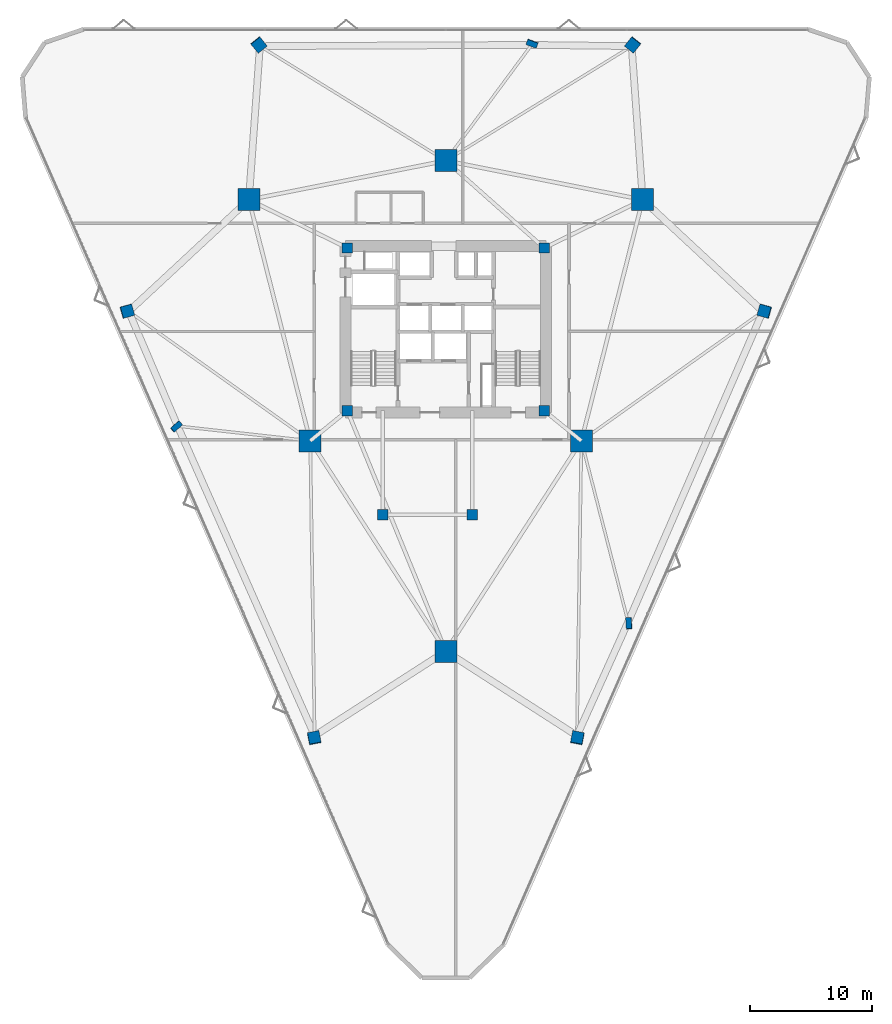
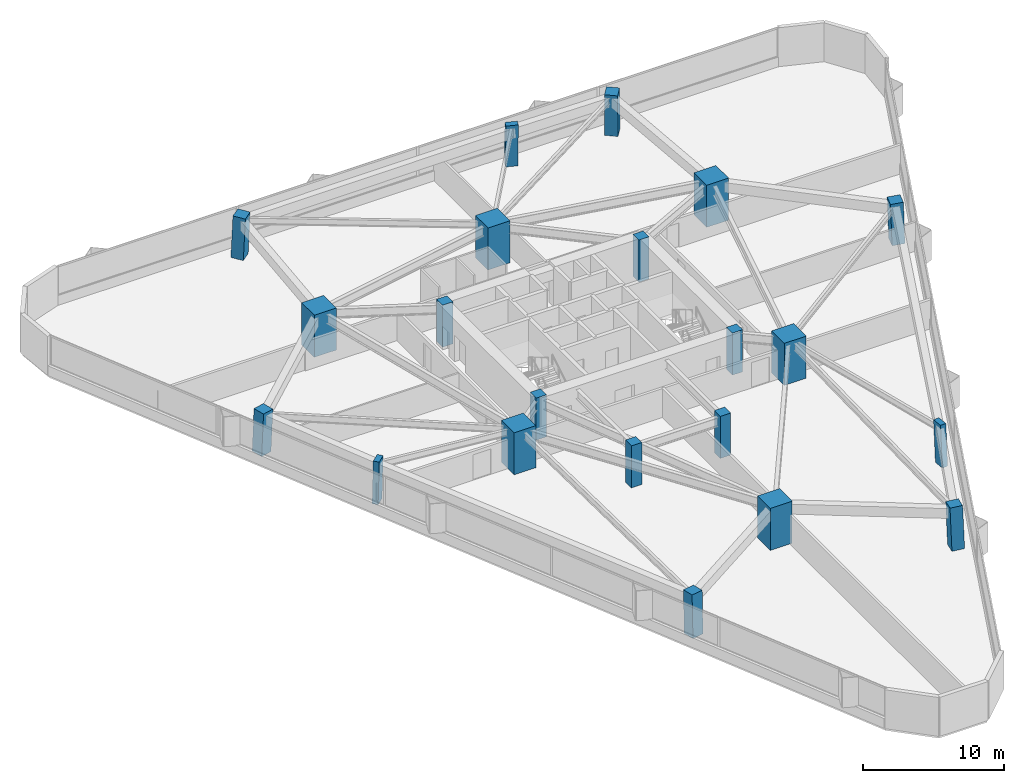
# One storey, part 1 of 20: 21 columns.
"""IFC4 building model written with IfcOpenShell, lengths in metres."""

from ifc_helpers import new_model, si_unit, direction, frame, origin, origin_2d, place, context, subcontext, project, spatial, rectangle, extrude, material, material_profile, profile_set, type_object, element, save


model = new_model("IFC4")

# Units and contexts
model_context = context("Model", 3, precision=1e-05, world=origin(), true_north=direction((0.0, 1.0)))
body_context = subcontext(model_context, "Body", "Model", "MODEL_VIEW")
ifc_project = project(units=[si_unit("LENGTHUNIT", "METRE"), si_unit("AREAUNIT", "SQUARE_METRE"), si_unit("VOLUMEUNIT", "CUBIC_METRE"), si_unit("PLANEANGLEUNIT", "RADIAN"), si_unit("MASSUNIT", "GRAM", prefix="KILO")], contexts=[model_context])

# Site, building, storey
site_placement = place(None, origin())
site = spatial("IfcSite", under=ifc_project, at=site_placement, CompositionType="ELEMENT")
building_placement = place(site_placement, origin())
building = spatial("IfcBuilding", under=site, at=building_placement, Name="Talyreon Biosciences Tower", CompositionType="ELEMENT")
storey_placement = place(building_placement, frame((0.0, 0.0, 30.10009765625)))
storey = spatial("IfcBuildingStorey", under=building, at=storey_placement, Name="L07", CompositionType="ELEMENT", Elevation=30.10009765625)

# Columns
ifc_material_1 = material(Name="Precast concrete C45/55", Category="concrete")
ifc_material_profile_1 = material_profile(ifc_material_1, rectangle(XDim=0.89990234375, YDim=0.449951171875, at=origin_2d()), Name="RC 900x450")
ifc_profile_set_1 = profile_set([ifc_material_profile_1], Name="Precast concrete C45/55")
column_type_1 = type_object("IfcColumnType", Name="FacadePilaster_900x450", PredefinedType="PILASTER", material=ifc_profile_set_1)
column_1_placement = place(storey_placement, frame((80.98193359375, 43.929931640625, 0.0029296875), z_axis=(-0.019612004119, 0.038286915892, 0.999074312234), x_axis=(0.060021566555, -0.997419127587, 0.039401719146)))
element("IfcColumn", 1, at=column_1_placement, inside=storey, type_object=column_type_1, Name="L07 Facade Pilaster PL-SE", PredefinedType="PILASTER", context=body_context, shape_type="SweptSolid", body=[
    extrude(rectangle(XDim=0.89990234375, YDim=0.449951171875, at=origin_2d()), origin(), (0.0, 0.0, 1.0), 3.6474609375),
])
column_2_placement = place(storey_placement, frame((73.0615234375, 91.382080078125, 0.0029296875), z_axis=(-0.01238655289, -0.033544124313, 0.999360478022), x_axis=(-0.9380871136, 0.346399433166, 0.0)))
element("IfcColumn", 2, at=column_2_placement, inside=storey, type_object=column_type_1, Name="L07 Facade Pilaster PL-N", PredefinedType="PILASTER", context=body_context, shape_type="SweptSolid", body=[
    extrude(rectangle(XDim=0.89990234375, YDim=0.449951171875, at=origin_2d()), origin(), (0.0, 0.0, 1.0), 3.646484375),
])
column_3_placement = place(storey_placement, frame((43.95654296875, 60.04736328125, 0.0029296875), z_axis=(0.032006476949, 0.010512587617, 0.999432374368), x_axis=(0.744483201828, 0.666927740989, -0.030856935938)))
element("IfcColumn", 3, at=column_3_placement, inside=storey, type_object=column_type_1, Name="L07 Facade Pilaster PL-SW", PredefinedType="PILASTER", context=body_context, shape_type="SweptSolid", body=[
    extrude(rectangle(XDim=0.89990234375, YDim=0.449951171875, at=origin_2d()), origin(), (0.0, 0.0, 1.0), 3.64599609375),
])
ifc_material_2 = material(Name="Concrete C60/75", Category="concrete")
ifc_material_profile_2 = material_profile(ifc_material_2, rectangle(XDim=1.800048828125, YDim=1.800048828125, at=origin_2d()), Name="RC 1800x1800")
ifc_profile_set_2 = profile_set([ifc_material_profile_2], Name="Concrete C60/75")
column_type_2 = type_object("IfcColumnType", Name="MegaColumn_1800", PredefinedType="COLUMN", material=ifc_profile_set_2)
for number, where, z_axis, x_axis, name in (
    (4, (66.0, 41.6669921875, 0.0), (0.0, 0.0, 1.0), (1.0, 0.0, 0.0), "L07 Composite Mega-Column MC1"),
    (5, (82.102294921875, 78.5986328125, 0.0), (0.0, 0.0, 1.0), (1.0, 0.0, 0.0), "L07 Composite Mega-Column MC2"),
    (6, (49.897705078125, 78.5986328125, 0.0), (0.0, 0.0, 1.0), (1.0, 0.0, 0.0), "L07 Composite Mega-Column MC3"),
    (7, (77.086181640625, 58.88037109375, 0.0), (0.0, 0.0, 1.0), (1.0, 0.0, 0.0), "L07 Composite Mega-Column MC4"),
    (8, (66.0, 81.788818359375, 0.0), (0.0, 0.0, 1.0), (1.0, 0.0, 0.0), "L07 Composite Mega-Column MC5"),
    (9, (54.913818359375, 58.88037109375, 0.0), (0.0, 0.0, 1.0), (1.0, 0.0, 0.0), "L07 Composite Mega-Column MC6"),
):
    element("IfcColumn", number, at=place(storey_placement, frame(where, z_axis=z_axis, x_axis=x_axis)), inside=storey, type_object=column_type_2, Name=name, PredefinedType="COLUMN", context=body_context, shape_type="SweptSolid", body=[
        extrude(rectangle(XDim=1.800048828125, YDim=1.800048828125, at=origin_2d()), origin(), (0.0, 0.0, 1.0), 3.64990234375),
    ])
ifc_material_profile_3 = material_profile(ifc_material_2, rectangle(XDim=0.85009765625, YDim=0.85009765625, at=origin_2d()), Name="RC 850x850")
ifc_profile_set_3 = profile_set([ifc_material_profile_3], Name="Concrete C60/75")
column_type_3 = type_object("IfcColumnType", Name="PerimeterColumn_850", PredefinedType="COLUMN", material=ifc_profile_set_3)
for number, where, z_axis, x_axis, name in (
    (10, (57.949951171875, 61.35009765625, 0.0), (0.0, 0.0, 1.0), (1.0, 0.0, 0.0), "L07 Core Column CC1"),
    (11, (74.050048828125, 61.35009765625, 0.0), (0.0, 0.0, 1.0), (1.0, 0.0, 0.0), "L07 Core Column CC2"),
    (12, (74.050048828125, 74.64990234375, 0.0), (0.0, 0.0, 1.0), (1.0, 0.0, 0.0), "L07 Core Column CC3"),
    (13, (57.949951171875, 74.64990234375, 0.0), (0.0, 0.0, 1.0), (1.0, 0.0, 0.0), "L07 Core Column CC4"),
    (14, (60.85009765625, 52.840087890625, 0.0), (0.0, 0.0, 1.0), (1.0, 0.0, 0.0), "L07 Core Column CSW"),
    (15, (68.14990234375, 52.840087890625, 0.0), (0.0, 0.0, 1.0), (1.0, 0.0, 0.0), "L07 Core Column CSE"),
):
    element("IfcColumn", number, at=place(storey_placement, frame(where, z_axis=z_axis, x_axis=x_axis)), inside=storey, type_object=column_type_3, Name=name, PredefinedType="COLUMN", context=body_context, shape_type="SweptSolid", body=[
        extrude(rectangle(XDim=0.85009765625, YDim=0.85009765625, at=origin_2d()), origin(), (0.0, 0.0, 1.0), 3.64990234375),
    ])
ifc_material_profile_4 = material_profile(ifc_material_2, rectangle(XDim=0.949951171875, YDim=0.949951171875, at=origin_2d()), Name="RC 950x950")
ifc_profile_set_4 = profile_set([ifc_material_profile_4], Name="Concrete C60/75")
column_type_4 = type_object("IfcColumnType", Name="PerimeterColumn_950", PredefinedType="COLUMN", material=ifc_profile_set_4)
column_4_placement = place(storey_placement, frame((76.77099609375, 34.568359375, 0.0029296875), z_axis=(-0.012375141264, 0.054450621561, 0.998439775695), x_axis=(-0.188653450049, -0.980710973149, 0.051145507429)))
element("IfcColumn", 16, at=column_4_placement, inside=storey, type_object=column_type_4, Name="L07 Tapering Perimeter Column PC-SE1", PredefinedType="COLUMN", context=body_context, shape_type="SweptSolid", body=[
    extrude(rectangle(XDim=0.949951171875, YDim=0.949951171875, at=origin_2d()), origin(), (0.0, 0.0, 1.0), 3.649658203125),
])
column_5_placement = place(storey_placement, frame((92.071044921875, 69.4892578125, 0.0029296875), z_axis=(-0.039229493406, -0.00569028488, 0.999214024874), x_axis=(0.963351706525, -0.265772868642, 0.036308013278)))
element("IfcColumn", 17, at=column_5_placement, inside=storey, type_object=column_type_4, Name="L07 Tapering Perimeter Column PC-SE2", PredefinedType="COLUMN", context=body_context, shape_type="SweptSolid", body=[
    extrude(rectangle(XDim=0.949951171875, YDim=0.949951171875, at=origin_2d()), origin(), (0.0, 0.0, 1.0), 3.64697265625),
])
for number, where, z_axis, x_axis, name in (
    (18, (81.300048828125, 91.281982421875, 0.0029296875), (-0.026907963191, -0.033534551141, 0.999075270136), (-0.779956681152, 0.625833504637, 0.0), "L07 Tapering Perimeter Column PC-N1"),
    (19, (50.699951171875, 91.281982421875, 0.0029296875), (0.026907963191, -0.033534551141, 0.999075270136), (-0.779956681152, -0.625833504637, 0.0), "L07 Tapering Perimeter Column PC-N2"),
):
    element("IfcColumn", number, at=place(storey_placement, frame(where, z_axis=z_axis, x_axis=x_axis)), inside=storey, type_object=column_type_4, Name=name, PredefinedType="COLUMN", context=body_context, shape_type="SweptSolid", body=[
        extrude(rectangle(XDim=0.949951171875, YDim=0.949951171875, at=origin_2d()), origin(), (0.0, 0.0, 1.0), 3.6474609375),
    ])
column_6_placement = place(storey_placement, frame((39.928955078125, 69.4892578125, 0.0029296875), z_axis=(0.039229493406, -0.00569028488, 0.999214024874), x_axis=(0.963351706525, 0.265772868642, -0.036308013278)))
element("IfcColumn", 20, at=column_6_placement, inside=storey, type_object=column_type_4, Name="L07 Tapering Perimeter Column PC-SW1", PredefinedType="COLUMN", context=body_context, shape_type="SweptSolid", body=[
    extrude(rectangle(XDim=0.949951171875, YDim=0.949951171875, at=origin_2d()), origin(), (0.0, 0.0, 1.0), 3.64697265625),
])
column_7_placement = place(storey_placement, frame((55.22900390625, 34.568359375, 0.0029296875), z_axis=(0.012375141264, 0.054450621561, 0.998439775695), x_axis=(-0.188653450049, 0.980710973149, -0.051145507429)))
element("IfcColumn", 21, at=column_7_placement, inside=storey, type_object=column_type_4, Name="L07 Tapering Perimeter Column PC-SW2", PredefinedType="COLUMN", context=body_context, shape_type="SweptSolid", body=[
    extrude(rectangle(XDim=0.949951171875, YDim=0.949951171875, at=origin_2d()), origin(), (0.0, 0.0, 1.0), 3.649658203125),
])

save(model, "model.ifc")
